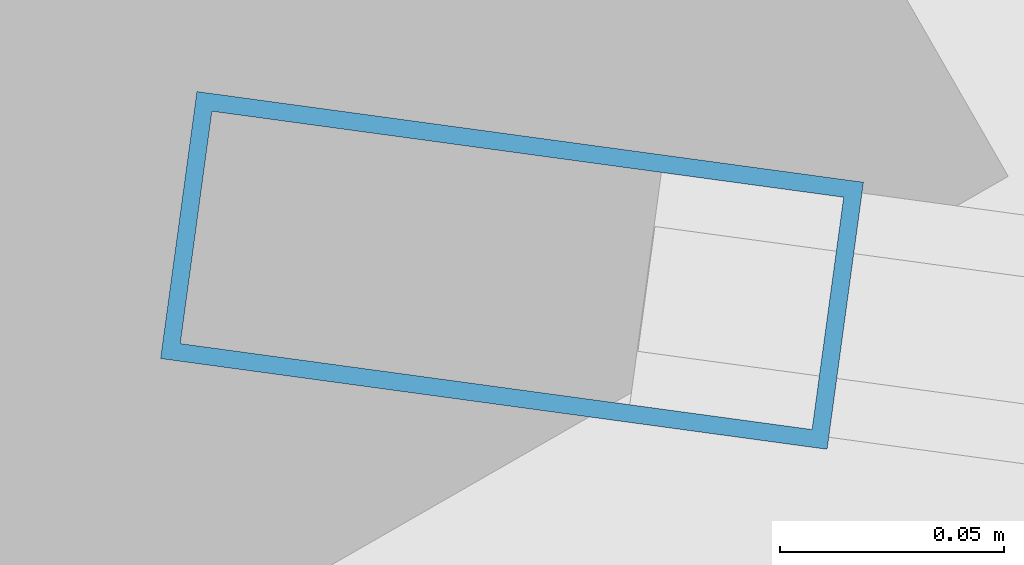
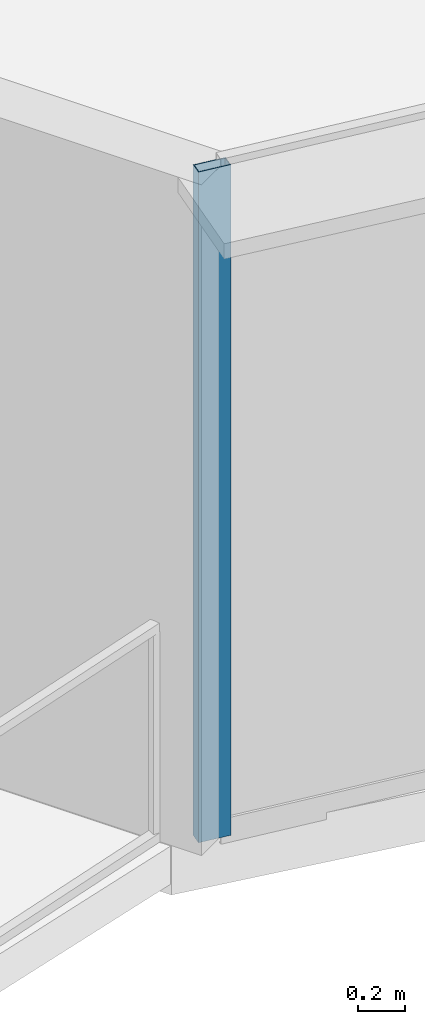
# One storey, part 2 of 36: 1 member, 1 element without a shape of its own.
"""IFC4 building model written with IfcOpenShell, lengths in metres."""

from ifc_helpers import new_model, si_unit, direction, frame, origin, origin_2d, place, context, subcontext, project, spatial, hollow_rectangle, extrude, source, transform, mapped, material, layer, layer_set, material_profile, profile_set, type_object, element, aggregate, save


model = new_model("IFC4")

# Units and contexts
model_context = context("Model", 3, precision=1e-05, world=origin(), true_north=direction((0.0, 1.0)))
body_context = subcontext(model_context, "Body", "Model", "MODEL_VIEW")
ifc_project = project(units=[si_unit("LENGTHUNIT", "METRE"), si_unit("AREAUNIT", "SQUARE_METRE"), si_unit("VOLUMEUNIT", "CUBIC_METRE"), si_unit("PLANEANGLEUNIT", "RADIAN"), si_unit("MASSUNIT", "GRAM", prefix="KILO"), si_unit("THERMODYNAMICTEMPERATUREUNIT", "KELVIN"), si_unit("POWERUNIT", "WATT")], contexts=[model_context])

# Site, building, storey
site_placement = place(None, origin())
site = spatial("IfcSite", under=ifc_project, at=site_placement, CompositionType="ELEMENT")
building_placement = place(site_placement, origin())
building = spatial("IfcBuilding", under=site, at=building_placement, Name="Yunzhuo Pagoda Commons", CompositionType="ELEMENT")
storey_placement = place(building_placement, frame((0.0, 0.0, 215.159912109375)))
storey = spatial("IfcBuildingStorey", under=building, at=storey_placement, Name="L54", CompositionType="ELEMENT", Elevation=215.159912109375)

# Curtain wall, member
ifc_material = material(Name="Anodized aluminium 6063-T6", Category="aluminium")
ifc_layer = layer(ifc_material, 0.14990234375)
ifc_layer_set = layer_set([ifc_layer], Name="Anodized aluminium 6063-T6")
curtain_wall_type = type_object("IfcCurtainWallType", Name="CW-MID Mid-Zone Ribbon Curtain Wall", PredefinedType="NOTDEFINED", material=ifc_layer_set)
curtain_wall_placement = place(storey_placement, origin())
curtain_wall = element("IfcCurtainWall", 1, at=curtain_wall_placement, inside=storey, type_object=curtain_wall_type, Name="L54 curtain wall CW-L54-F1B1", PredefinedType="NOTDEFINED")
ifc_material_profile = material_profile(ifc_material, hollow_rectangle(XDim=0.06005859375, YDim=0.14990234375, WallThickness=0.00390625, at=origin_2d()), Name="Anodized aluminium 6063-T6")
ifc_profile_set = profile_set([ifc_material_profile], Name="Anodized aluminium 6063-T6")
member_type = type_object("IfcMemberType", Name="CW-MID-M Mullion RHS 150x60x4", PredefinedType="MULLION", material=ifc_profile_set)
shared_shape = source(origin(), body_context, "Body", "SweptSolid", [
    extrude(hollow_rectangle(XDim=0.06005859375, YDim=0.14990234375, WallThickness=0.00390625, at=origin_2d()), origin(), (0.0, 0.0, 1.0), 3.52001953125),
])
member_placement = place(storey_placement, frame((14.53662109375, 17.793212890625, 0.0), z_axis=(0.0, 0.0, 1.0), x_axis=(0.134839446061, 0.990867460252, 0.0)))
member = element("IfcMember", 2, at=member_placement, type_object=member_type, Name="CW mullion 1", PredefinedType="MULLION", context=body_context, shape_type="MappedRepresentation", body=[
    mapped(shared_shape, transform((0.0, 0.0, 0.0), scale=1.0)),
])
aggregate(curtain_wall, [member])

save(model, "model.ifc")
